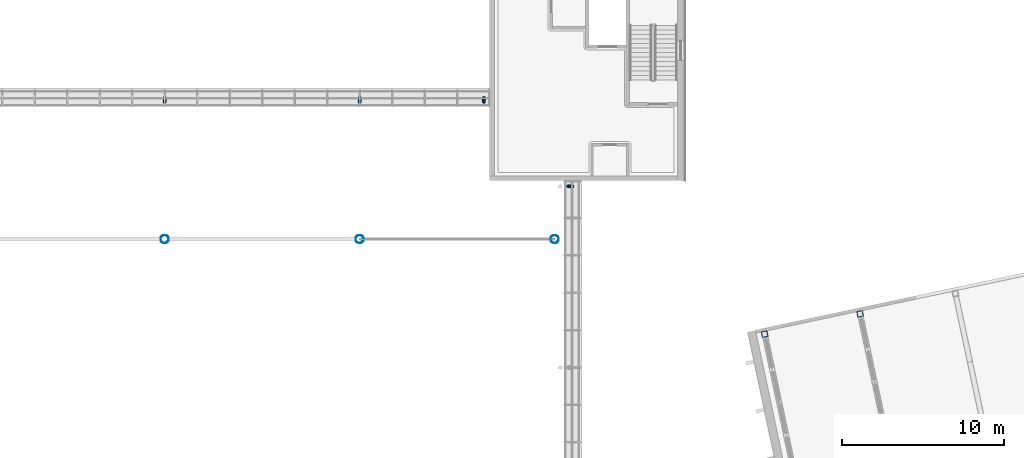
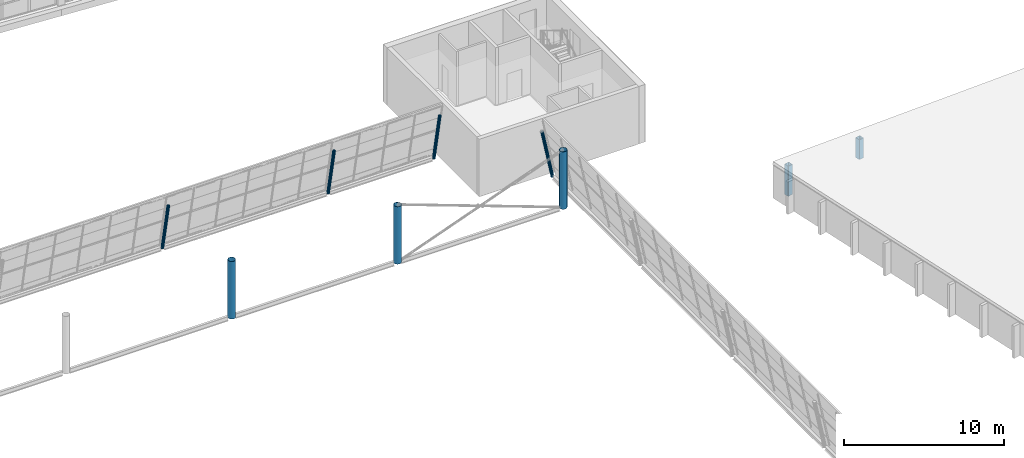
# One storey, part 6 of 50: 9 columns.
"""IFC4 building model written with IfcOpenShell, lengths in metres."""

from ifc_helpers import new_model, si_unit, direction, frame, origin, origin_2d, place, context, subcontext, project, spatial, hollow_rectangle, hollow_circle, extrude, material, material_profile, profile_set, type_object, element, save


model = new_model("IFC4")

# Units and contexts
model_context = context("Model", 3, precision=1e-05, world=origin(), true_north=direction((0.0, 1.0)))
body_context = subcontext(model_context, "Body", "Model", "MODEL_VIEW")
ifc_project = project(units=[si_unit("LENGTHUNIT", "METRE"), si_unit("AREAUNIT", "SQUARE_METRE"), si_unit("VOLUMEUNIT", "CUBIC_METRE"), si_unit("PLANEANGLEUNIT", "RADIAN"), si_unit("MASSUNIT", "GRAM", prefix="KILO")], contexts=[model_context])

# Site, building, storey
site_placement = place(None, origin())
site = spatial("IfcSite", under=ifc_project, at=site_placement, CompositionType="ELEMENT")
building_placement = place(site_placement, origin())
building = spatial("IfcBuilding", under=site, at=building_placement, Name="Windward Yard Aquatics Centre", CompositionType="ELEMENT")
storey_placement = place(building_placement, frame((0.0, 0.0, 18.199951171875)))
storey = spatial("IfcBuildingStorey", under=building, at=storey_placement, Name="L04", CompositionType="ELEMENT", Elevation=18.199951171875)

# Columns
ifc_material = material(Name="Steel ASTM A500 Gr C", Category="steel")
ifc_material_profile_1 = material_profile(ifc_material, hollow_rectangle(XDim=0.355712890625, YDim=0.355712890625, WallThickness=0.015869140625, InnerFilletRadius=0.008056640625, OuterFilletRadius=0.02392578125, at=origin_2d()), Name="HSS356X356X15.9")
ifc_profile_set_1 = profile_set([ifc_material_profile_1], Name="Steel ASTM A500 Gr C")
column_type_1 = type_object("IfcColumnType", Name="D column HSS356X356X15.9", PredefinedType="COLUMN", material=ifc_profile_set_1)
column_1_placement = place(storey_placement, frame((156.929443359375, 74.553466796875, 0.0), z_axis=(0.0, 0.0, 1.0), x_axis=(0.978147600734, 0.207911690818, 0.0)))
element("IfcColumn", 1, at=column_1_placement, inside=storey, type_object=column_type_1, Name="D.COL.1.2.6", PredefinedType="COLUMN", context=body_context, shape_type="SweptSolid", body=[
    extrude(hollow_rectangle(XDim=0.355712890625, YDim=0.355712890625, WallThickness=0.015869140625, InnerFilletRadius=0.008056640625, OuterFilletRadius=0.02392578125, at=origin_2d()), origin(), (0.0, 0.0, 1.0), 2.3046875),
])
column_2_placement = place(storey_placement, frame((162.79833984375, 75.801025390625, 0.0), z_axis=(0.0, 0.0, 1.0), x_axis=(0.978147600734, 0.207911690818, 0.0)))
element("IfcColumn", 2, at=column_2_placement, inside=storey, type_object=column_type_1, Name="D.COL.2.2.6", PredefinedType="COLUMN", context=body_context, shape_type="SweptSolid", body=[
    extrude(hollow_rectangle(XDim=0.355712890625, YDim=0.355712890625, WallThickness=0.015869140625, InnerFilletRadius=0.008056640625, OuterFilletRadius=0.02392578125, at=origin_2d()), origin(), (0.0, 0.0, 1.0), 1.515380859375),
])
ifc_material_profile_2 = material_profile(ifc_material, hollow_circle(Radius=0.25390625, WallThickness=0.015869140625, at=origin_2d()), Name="HSS508X15.9")
ifc_profile_set_2 = profile_set([ifc_material_profile_2], Name="Steel ASTM A500 Gr C")
column_type_2 = type_object("IfcColumnType", Name="H arch column HSS508X15.9", PredefinedType="COLUMN", material=ifc_profile_set_2)
for number, where, z_axis, x_axis, name in (
    (3, (120.0, 80.39990234375, 0.0), (0.0, 0.0, 1.0), (1.0, 0.0, 0.0), "H.AC.N6.L04"),
    (4, (132.0, 80.39990234375, 0.0), (0.0, 0.0, 1.0), (1.0, 0.0, 0.0), "H.AC.N7.L04"),
    (5, (144.0, 80.39990234375, 0.0), (0.0, 0.0, 1.0), (1.0, 0.0, 0.0), "H.AC.N8.L04"),
):
    element("IfcColumn", number, at=place(storey_placement, frame(where, z_axis=z_axis, x_axis=x_axis)), inside=storey, type_object=column_type_2, Name=name, PredefinedType="COLUMN", context=body_context, shape_type="SweptSolid", body=[
        extrude(hollow_circle(Radius=0.25390625, WallThickness=0.015869140625, at=origin_2d()), origin(), (0.0, 0.0, 1.0), 4.400146484375),
    ])
ifc_material_profile_3 = material_profile(ifc_material, hollow_circle(Radius=0.109619140625, WallThickness=0.0126953125, at=origin_2d()), Name="HSS219.1X12.7")
ifc_profile_set_3 = profile_set([ifc_material_profile_3], Name="Steel ASTM A500 Gr C")
column_type_3 = type_object("IfcColumnType", Name="H tier 2 leg HSS219.1X12.7", PredefinedType="COLUMN", material=ifc_profile_set_3)
for number, where, z_axis, x_axis, name in (
    (6, (120.0, 89.09521484375, 0.0), (0.0, -0.199397546047, 0.979918679601), (1.0, 0.0, 0.0), "H.TL.N6.T2B.L04"),
    (7, (132.0, 89.09521484375, 0.0), (0.0, -0.199397546047, 0.979918679601), (1.0, 0.0, 0.0), "H.TL.N7.T2B.L04"),
    (8, (139.64990234375, 89.09521484375, 0.0), (0.0, -0.199397546047, 0.979918679601), (1.0, 0.0, 0.0), "H.TL.N8.T2B.L04"),
    (9, (145.09521484375, 83.64990234375, 0.0), (-0.199397546047, 0.0, 0.979918679601), (0.0, -1.0, 0.0), "H.TL.E5.T2B.L04"),
):
    element("IfcColumn", number, at=place(storey_placement, frame(where, z_axis=z_axis, x_axis=x_axis)), inside=storey, type_object=column_type_3, Name=name, PredefinedType="COLUMN", context=body_context, shape_type="SweptSolid", body=[
        extrude(hollow_circle(Radius=0.109619140625, WallThickness=0.0126953125, at=origin_2d()), origin(), (0.0, 0.0, 1.0), 3.776123046875),
    ])

save(model, "model.ifc")
